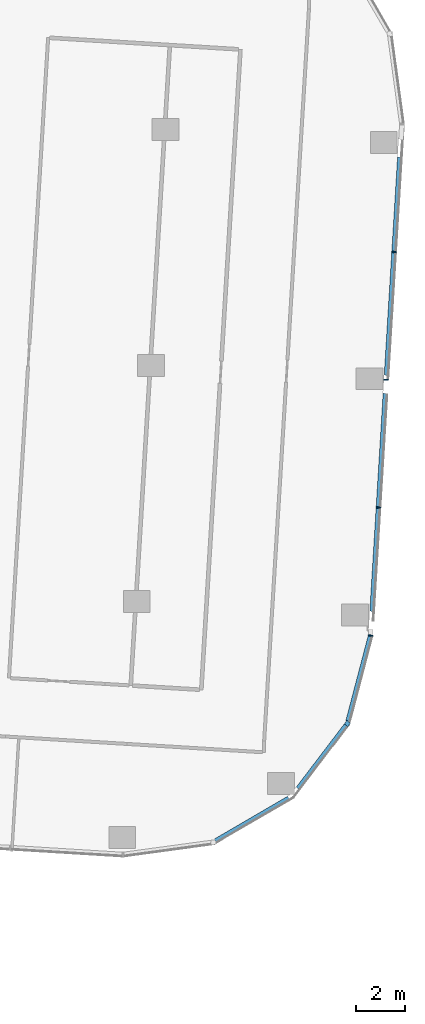
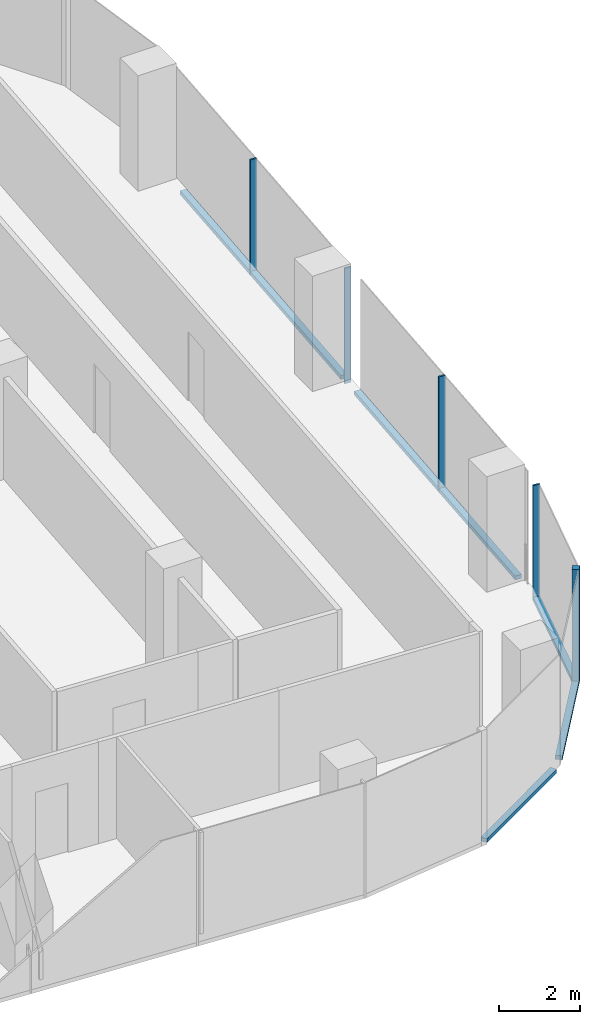
# One storey, part 9 of 32: 10 members, 4 elements without a shape of their own.
"""IFC4 building model written with IfcOpenShell, lengths in metres."""

from ifc_helpers import new_model, si_unit, direction, frame, origin, origin_2d, place, context, subcontext, project, spatial, rectangle, extrude, material, material_profile, profile_set, type_object, element, aggregate, save


model = new_model("IFC4")

# Units and contexts
model_context = context("Model", 3, precision=1e-05, world=origin(), true_north=direction((0.0, 1.0)))
body_context = subcontext(model_context, "Body", "Model", "MODEL_VIEW")
ifc_project = project(units=[si_unit("LENGTHUNIT", "METRE"), si_unit("AREAUNIT", "SQUARE_METRE"), si_unit("VOLUMEUNIT", "CUBIC_METRE"), si_unit("PLANEANGLEUNIT", "RADIAN"), si_unit("MASSUNIT", "GRAM", prefix="KILO")], contexts=[model_context])

# Site, building, storey
site_placement = place(None, origin())
site = spatial("IfcSite", under=ifc_project, at=site_placement, CompositionType="ELEMENT")
building_placement = place(site_placement, origin())
building = spatial("IfcBuilding", under=site, at=building_placement, Name="Orlundy Tower", CompositionType="ELEMENT")
storey_placement = place(building_placement, frame((0.0, 0.0, 149.10009765625)))
storey = spatial("IfcBuildingStorey", under=building, at=storey_placement, Name="L38", CompositionType="ELEMENT", Elevation=149.10009765625)

# Curtain wall, member
ifc_material_1 = material(Name="Aluminium bronze anodised", Category="aluminium")
curtain_wall_type = type_object("IfcCurtainWallType", Name="CW1 wall", PredefinedType="NOTDEFINED", material=ifc_material_1)
curtain_wall_1_placement = place(storey_placement, origin())
curtain_wall_1 = element("IfcCurtainWall", 1, at=curtain_wall_1_placement, inside=storey, type_object=curtain_wall_type, Name="CW1 run 025", PredefinedType="NOTDEFINED")
ifc_material_2 = material(Name="Aluminium bronze anodised", Category="aluminium")
ifc_material_profile_1 = material_profile(ifc_material_2, rectangle(XDim=0.179931640625, YDim=0.179931640625, at=origin_2d()), Name="CW1 corner post 180x180")
ifc_profile_set_1 = profile_set([ifc_material_profile_1], Name="Aluminium bronze anodised")
member_type_1 = type_object("IfcMemberType", Name="CW1 corner post 180x180", PredefinedType="MULLION", material=ifc_profile_set_1)
member_1_placement = place(storey_placement, frame((58.884521484375, -17.79833984375, -0.400146484375), z_axis=(0.0, 0.0, 1.0), x_axis=(0.796131001065, -0.605124308835, 0.0)))
member_1 = element("IfcMember", 2, at=member_1_placement, type_object=member_type_1, Name="CW1 mullion 66", PredefinedType="MULLION", context=body_context, shape_type="SweptSolid", body=[
    extrude(rectangle(XDim=0.179931640625, YDim=0.179931640625, at=origin_2d()), origin(), (0.0, 0.0, 1.0), 3.5),
])

# Curtain wall, members
curtain_wall_2_placement = place(storey_placement, origin())
curtain_wall_2 = element("IfcCurtainWall", 3, at=curtain_wall_2_placement, inside=storey, type_object=curtain_wall_type, Name="CW1 run 023", PredefinedType="NOTDEFINED")
ifc_material_3 = material(Name="Aluminium bronze anodised", Category="aluminium")
ifc_material_profile_2 = material_profile(ifc_material_3, rectangle(XDim=0.179931640625, YDim=0.050048828125, at=origin_2d()), Name="CW1 mullion 50x180")
ifc_profile_set_2 = profile_set([ifc_material_profile_2], Name="Aluminium bronze anodised")
member_type_2 = type_object("IfcMemberType", Name="CW1 mullion 50x180", PredefinedType="MULLION", material=ifc_profile_set_2)
member_2_placement = place(storey_placement, frame((60.79736328125, 1.541259765625, -0.400146484375), z_axis=(0.0, 0.0, 1.0), x_axis=(0.998134884544, -0.061047131434, 0.0)))
member_2 = element("IfcMember", 4, at=member_2_placement, type_object=member_type_2, Name="CW1 mullion 62", PredefinedType="MULLION", context=body_context, shape_type="SweptSolid", body=[
    extrude(rectangle(XDim=0.179931640625, YDim=0.050048828125, at=origin_2d()), origin(), (0.0, 0.0, 1.0), 3.5),
])
member_3_placement = place(storey_placement, frame((60.476806640625, -3.698974609375, -0.400146484375), z_axis=(0.0, 0.0, 1.0), x_axis=(0.998134884544, -0.061047131434, 0.0)))
member_3 = element("IfcMember", 5, at=member_3_placement, type_object=member_type_2, Name="CW1 mullion 63", PredefinedType="MULLION", context=body_context, shape_type="SweptSolid", body=[
    extrude(rectangle(XDim=0.179931640625, YDim=0.050048828125, at=origin_2d()), origin(), (0.0, 0.0, 1.0), 3.5),
])
member_4_placement = place(storey_placement, frame((60.15625, -8.939208984375, -0.400146484375), z_axis=(0.0, 0.0, 1.0), x_axis=(0.998134884544, -0.061047131434, 0.0)))
member_4 = element("IfcMember", 6, at=member_4_placement, type_object=member_type_2, Name="CW1 mullion 64", PredefinedType="MULLION", context=body_context, shape_type="SweptSolid", body=[
    extrude(rectangle(XDim=0.179931640625, YDim=0.050048828125, at=origin_2d()), origin(), (0.0, 0.0, 1.0), 3.5),
])

# Curtain wall, member
curtain_wall_3_placement = place(storey_placement, origin())
curtain_wall_3 = element("IfcCurtainWall", 7, at=curtain_wall_3_placement, inside=storey, type_object=curtain_wall_type, Name="CW1 run 024", PredefinedType="NOTDEFINED")
member_5_placement = place(storey_placement, frame((59.835205078125, -14.188232421875, -0.400146484375), z_axis=(0.0, 0.0, 1.0), x_axis=(0.987336298945, -0.158641207715, 0.0)))
member_5 = element("IfcMember", 8, at=member_5_placement, type_object=member_type_2, Name="CW1 mullion 65", PredefinedType="MULLION", context=body_context, shape_type="SweptSolid", body=[
    extrude(rectangle(XDim=0.179931640625, YDim=0.050048828125, at=origin_2d()), origin(), (0.0, 0.0, 1.0), 3.5),
])

# Member
ifc_material_4 = material(Name="Aluminium bronze anodised", Category="aluminium")
ifc_material_profile_3 = material_profile(ifc_material_4, rectangle(XDim=0.179931640625, YDim=0.1201171875, at=origin_2d()), Name="CW1 transom 180x120")
ifc_profile_set_3 = profile_set([ifc_material_profile_3], Name="Aluminium bronze anodised")
member_type_3 = type_object("IfcMemberType", Name="CW1 transom 180x120", PredefinedType="USERDEFINED", material=ifc_profile_set_3)
member_6_placement = place(storey_placement, frame((61.034912109375, 5.425048828125, -0.340087890625), z_axis=(-0.061048001915, -0.998134831304, 0.0), x_axis=(0.998134831304, -0.061048001915, 0.0)))
member_6 = element("IfcMember", 9, at=member_6_placement, type_object=member_type_3, Name="CW1 transom", ObjectType="TRANSOM", PredefinedType="USERDEFINED", context=body_context, shape_type="SweptSolid", body=[
    extrude(rectangle(XDim=0.179931640625, YDim=0.1201171875, at=origin_2d()), origin(), (0.0, 0.0, 1.0), 8.9580078125),
])

member_7_placement = place(storey_placement, frame((60.442626953125, -4.257080078125, -0.340087890625), z_axis=(-0.061039114638, -0.998135374829, 0.0), x_axis=(0.998135374829, -0.061039114638, 0.0)))
member_7 = element("IfcMember", 10, at=member_7_placement, type_object=member_type_3, Name="CW1 transom", ObjectType="TRANSOM", PredefinedType="USERDEFINED", context=body_context, shape_type="SweptSolid", body=[
    extrude(rectangle(XDim=0.179931640625, YDim=0.1201171875, at=origin_2d()), origin(), (0.0, 0.0, 1.0), 8.955322265625),
])

aggregate(curtain_wall_2, [member_2, member_3, member_4, member_6, member_7])

member_8_placement = place(storey_placement, frame((59.828857421875, -14.212646484375, -0.340087890625), z_axis=(-0.254719622241, -0.96701495027, 0.0), x_axis=(0.96701495027, -0.254719622241, 0.0)))
member_8 = element("IfcMember", 11, at=member_8_placement, type_object=member_type_3, Name="CW1 transom", ObjectType="TRANSOM", PredefinedType="USERDEFINED", context=body_context, shape_type="SweptSolid", body=[
    extrude(rectangle(XDim=0.179931640625, YDim=0.1201171875, at=origin_2d()), origin(), (0.0, 0.0, 1.0), 3.610595703125),
])

aggregate(curtain_wall_3, [member_5, member_8])

member_9_placement = place(storey_placement, frame((58.830078125, -17.869873046875, -0.340087890625), z_axis=(-0.605113705062, -0.796139060684, 0.0), x_axis=(0.796139060684, -0.605113705062, 0.0)))
member_9 = element("IfcMember", 12, at=member_9_placement, type_object=member_type_3, Name="CW1 transom", ObjectType="TRANSOM", PredefinedType="USERDEFINED", context=body_context, shape_type="SweptSolid", body=[
    extrude(rectangle(XDim=0.179931640625, YDim=0.1201171875, at=origin_2d()), origin(), (0.0, 0.0, 1.0), 3.25390625),
])

aggregate(curtain_wall_1, [member_1, member_9])

# Curtain wall, member
curtain_wall_4_placement = place(storey_placement, origin())
curtain_wall_4 = element("IfcCurtainWall", 13, at=curtain_wall_4_placement, inside=storey, type_object=curtain_wall_type, Name="CW1 run 026", PredefinedType="NOTDEFINED")
member_10_placement = place(storey_placement, frame((56.478759765625, -20.860107421875, -0.340087890625), z_axis=(-0.863890782548, -0.503679179468, 0.0), x_axis=(0.503679179468, -0.863890782548, 0.0)))
member_10 = element("IfcMember", 14, at=member_10_placement, type_object=member_type_3, Name="CW1 transom", ObjectType="TRANSOM", PredefinedType="USERDEFINED", context=body_context, shape_type="SweptSolid", body=[
    extrude(rectangle(XDim=0.179931640625, YDim=0.1201171875, at=origin_2d()), origin(), (0.0, 0.0, 1.0), 3.481689453125),
])
aggregate(curtain_wall_4, [member_10])

save(model, "model.ifc")
